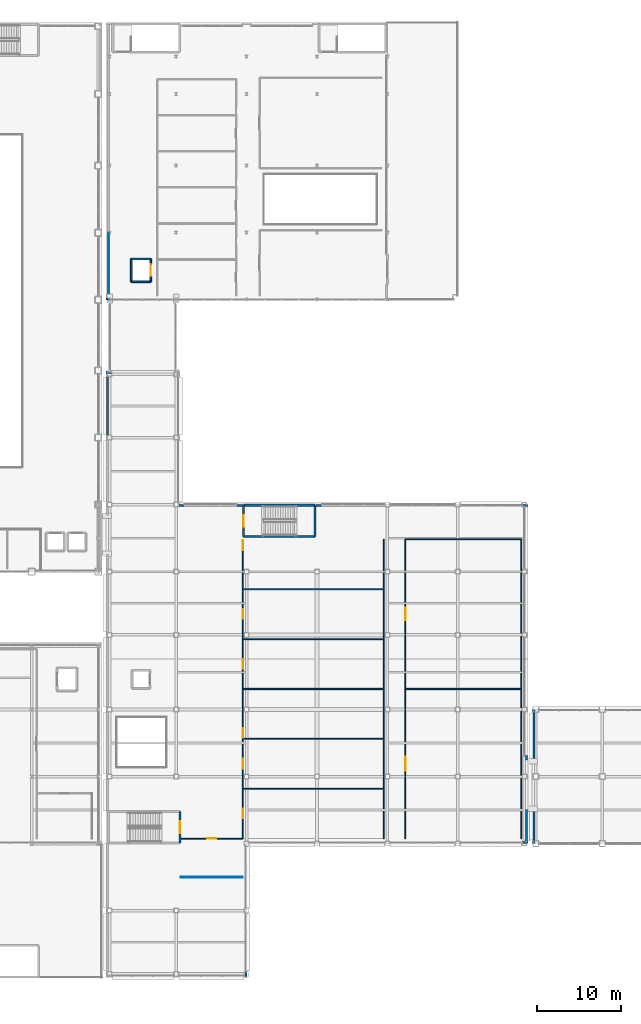
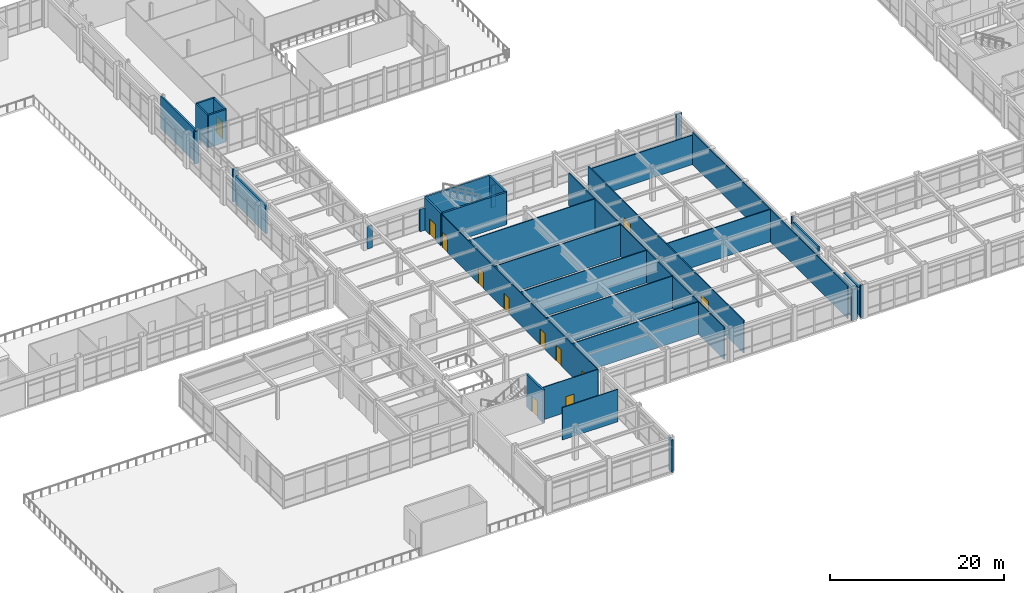
# One storey, part 133 of 154: 38 walls, 12 doors, 12 openings.
"""IFC4 building model written with IfcOpenShell, lengths in metres."""

from ifc_helpers import new_model, si_unit, direction, frame, frame_2d, origin, place, context, subcontext, project, spatial, rectangle, extrude, material, layer, layer_set, type_object, element, fill, save


model = new_model("IFC4")

# Units and contexts
model_context = context("Model", 3, precision=1e-05, world=origin(), true_north=direction((0.0, 1.0)))
body_context = subcontext(model_context, "Body", "Model", "MODEL_VIEW")
ifc_project = project(units=[si_unit("LENGTHUNIT", "METRE"), si_unit("AREAUNIT", "SQUARE_METRE"), si_unit("VOLUMEUNIT", "CUBIC_METRE"), si_unit("PLANEANGLEUNIT", "RADIAN"), si_unit("MASSUNIT", "GRAM", prefix="KILO")], contexts=[model_context])

# Site, building, storey
site_placement = place(None, origin())
site = spatial("IfcSite", under=ifc_project, at=site_placement, CompositionType="ELEMENT")
building_placement = place(site_placement, origin())
building = spatial("IfcBuilding", under=site, at=building_placement, Name="Kazehara Bluff Congress Hotel", CompositionType="ELEMENT")
storey_placement = place(building_placement, frame((0.0, 0.0, 10.199951171875)))
storey = spatial("IfcBuildingStorey", under=building, at=storey_placement, Name="L02", CompositionType="ELEMENT", Elevation=10.199951171875)

# Wall, opening, door
ifc_material_1 = material(Name="Concrete C40/50", Category="concrete")
ifc_layer_1 = layer(ifc_material_1, 0.25)
ifc_layer_set_1 = layer_set([ifc_layer_1], Name="Concrete C40/50")
wall_type_1 = type_object("IfcWallType", Name="TP-CW-RC", PredefinedType="SHEAR", material=ifc_layer_set_1)
wall_1_placement = place(storey_placement, frame((68.125, 19.824951171875, 0.0), z_axis=(0.0, 0.0, 1.0), x_axis=(0.0, -1.0, 0.0)))
wall_1 = element("IfcWall", 1, at=wall_1_placement, inside=storey, type_object=wall_type_1, Name="L02 ST-08 core wall near", PredefinedType="SHEAR", context=body_context, shape_type="SweptSolid", body=[
    extrude(rectangle(XDim=3.75, YDim=0.25, at=frame_2d((1.875, 0.0))), origin(), (0.0, 0.0, 1.0), 4.56005859375),
])
opening_1_placement = place(wall_1_placement, frame((1.175048828125, 0.0, 0.0)))
opening_1 = element("IfcOpeningElement", 2, at=opening_1_placement, cuts=wall_1, Name="Opening FD-03", PredefinedType="OPENING", context=body_context, shape_type="SweptSolid", body=[
    extrude(rectangle(XDim=1.39990234375, YDim=2.25, at=frame_2d((0.699951171875, 1.125))), frame((0.0, 0.135009765625, 0.0), z_axis=(0.0, -1.0, 0.0), x_axis=(1.0, 0.0, 0.0)), (0.0, 0.0, 1.0), 0.27001953125),
])
ifc_material_2 = material(Name="Fire-rated painted steel leaf", Category="steel")
door_type_1 = type_object("IfcDoorType", Name="TP-FD-03", OperationType="NOTDEFINED", PredefinedType="DOOR", material=ifc_material_2)
door_1_placement = place(opening_1_placement, origin())
door_1 = element("IfcDoor", 3, at=door_1_placement, inside=storey, type_object=door_type_1, Name="L02 ST-08 fire stair door", OperationType="SINGLE_SWING_RIGHT", OverallHeight=2.25, OverallWidth=1.39990234375, PredefinedType="DOOR", context=body_context, shape_type="SweptSolid", body=[
    extrude(rectangle(XDim=1.39990234375, YDim=2.25, at=frame_2d((0.699951171875, 1.125))), frame((0.0, 0.02490234375, 0.0), z_axis=(0.0, -1.0, 0.0), x_axis=(1.0, 0.0, 0.0)), (0.0, 0.0, 1.0), 0.050048828125),
])
fill(opening_1, door_1)

wall_2_placement = place(storey_placement, frame((75.675048828125, 52.625, 0.0), z_axis=(0.0, 0.0, 1.0), x_axis=(0.0, 1.0, 0.0)))
wall_2 = element("IfcWall", 4, at=wall_2_placement, inside=storey, type_object=wall_type_1, Name="L02 ST-09 core wall near", PredefinedType="SHEAR", context=body_context, shape_type="SweptSolid", body=[
    extrude(rectangle(XDim=3.75, YDim=0.25, at=frame_2d((1.875, 0.0))), origin(), (0.0, 0.0, 1.0), 4.56005859375),
])
opening_2_placement = place(wall_2_placement, frame((1.175048828125, 0.0, 0.0)))
opening_2 = element("IfcOpeningElement", 5, at=opening_2_placement, cuts=wall_2, Name="Opening FD-03", PredefinedType="OPENING", context=body_context, shape_type="SweptSolid", body=[
    extrude(rectangle(XDim=1.39990234375, YDim=2.25, at=frame_2d((0.699951171875, 1.125))), frame((0.0, 0.135009765625, 0.0), z_axis=(0.0, -1.0, 0.0), x_axis=(1.0, 0.0, 0.0)), (0.0, 0.0, 1.0), 0.27001953125),
])
door_2_placement = place(opening_2_placement, origin())
door_2 = element("IfcDoor", 6, at=door_2_placement, inside=storey, type_object=door_type_1, Name="L02 ST-09 fire stair door", OperationType="SINGLE_SWING_RIGHT", OverallHeight=2.25, OverallWidth=1.39990234375, PredefinedType="DOOR", context=body_context, shape_type="SweptSolid", body=[
    extrude(rectangle(XDim=1.39990234375, YDim=2.25, at=frame_2d((0.699951171875, 1.125))), frame((0.0, 0.02490234375, 0.0), z_axis=(0.0, -1.0, 0.0), x_axis=(1.0, 0.0, 0.0)), (0.0, 0.0, 1.0), 0.050048828125),
])
fill(opening_2, door_2)

# Walls
wall_3_placement = place(storey_placement, frame((84.22509765625, 56.375, 0.0), z_axis=(0.0, 0.0, 1.0), x_axis=(0.0, -1.0, 0.0)))
element("IfcWall", 7, at=wall_3_placement, inside=storey, type_object=wall_type_1, Name="L02 ST-09 core wall far", PredefinedType="SHEAR", context=body_context, shape_type="SweptSolid", body=[
    extrude(rectangle(XDim=3.75, YDim=0.25, at=frame_2d((1.875, 0.0))), origin(), (0.0, 0.0, 1.0), 4.56005859375),
])
for number, where, z_axis, x_axis, name in (
    (8, (84.22509765625, 52.625, 0.0), (0.0, 0.0, 1.0), (-1.0, 0.0, 0.0), "L02 ST-09 core wall left"),
    (9, (75.675048828125, 56.375, 0.0), (0.0, 0.0, 1.0), (1.0, 0.0, 0.0), "L02 ST-09 core wall right"),
):
    element("IfcWall", number, at=place(storey_placement, frame(where, z_axis=z_axis, x_axis=x_axis)), inside=storey, type_object=wall_type_1, Name=name, PredefinedType="SHEAR", context=body_context, shape_type="SweptSolid", body=[
        extrude(rectangle(XDim=8.550048828125, YDim=0.25, at=frame_2d((4.27490234375, 0.0))), origin(), (0.0, 0.0, 1.0), 4.56005859375),
    ])
ifc_material_3 = material(Name="Precast concrete C40/50", Category="concrete")
ifc_layer_2 = layer(ifc_material_3, 0.239990234375)
ifc_layer_set_2 = layer_set([ifc_layer_2], Name="Precast concrete C40/50")
wall_type_2 = type_object("IfcWallType", Name="TP-EW-240", PredefinedType="SOLIDWALL", material=ifc_layer_set_2)
wall_4_placement = place(storey_placement, frame((59.85009765625, 81.0, 0.0), z_axis=(0.0, 0.0, 1.0), x_axis=(-1.0, 0.0, 0.0)))
element("IfcWall", 10, at=wall_4_placement, inside=storey, type_object=wall_type_2, Name="L02 V3 perimeter spandrel pier 631", PredefinedType="SOLIDWALL", context=body_context, shape_type="SweptSolid", body=[
    extrude(rectangle(XDim=0.60009765625, YDim=0.239990234375, at=frame_2d((0.300048828125, 0.0))), origin(), (0.0, 0.0, 1.0), 4.545166015625),
])
wall_5_placement = place(storey_placement, frame((59.570068359375, 81.1298828125, 0.0), z_axis=(0.0, 0.0, 1.0), x_axis=(0.0, 1.0, 0.0)))
element("IfcWall", 11, at=wall_5_placement, inside=storey, type_object=wall_type_2, Name="L02 V3 perimeter spandrel pier 636", PredefinedType="SOLIDWALL", context=body_context, shape_type="SweptSolid", body=[
    extrude(rectangle(XDim=7.920166015625, YDim=0.239990234375, at=frame_2d((3.9599609375, 0.0))), origin(), (0.0, 0.0, 1.0), 4.545166015625),
])
wall_6_placement = place(storey_placement, frame((75.949951171875, 0.72509765625, 0.0), z_axis=(0.0, 0.0, 1.0), x_axis=(0.0, -1.0, 0.0)))
element("IfcWall", 12, at=wall_6_placement, inside=storey, type_object=wall_type_2, Name="L02 V4 perimeter spandrel pier 642", PredefinedType="SOLIDWALL", context=body_context, shape_type="SweptSolid", body=[
    extrude(rectangle(XDim=0.72509765625, YDim=0.239990234375, at=frame_2d((0.362548828125, 0.0))), origin(), (0.0, 0.0, 1.0), 4.545166015625),
])
wall_7_placement = place(storey_placement, frame((109.64990234375, 16.10009765625, 0.0), z_axis=(0.0, 0.0, 1.0), x_axis=(-1.0, 0.0, 0.0)))
element("IfcWall", 13, at=wall_7_placement, inside=storey, type_object=wall_type_2, Name="L02 V4 perimeter spandrel pier 643", PredefinedType="SOLIDWALL", context=body_context, shape_type="SweptSolid", body=[
    extrude(rectangle(XDim=0.724853515625, YDim=0.239990234375, at=frame_2d((0.3623046875, 0.0))), origin(), (0.0, 0.0, 1.0), 4.545166015625),
])
wall_8_placement = place(storey_placement, frame((109.429931640625, 20.050048828125, 0.0), z_axis=(0.0, 0.0, 1.0), x_axis=(0.0, -1.0, 0.0)))
element("IfcWall", 14, at=wall_8_placement, inside=storey, type_object=wall_type_2, Name="L02 V4 perimeter spandrel pier 644", PredefinedType="SOLIDWALL", context=body_context, shape_type="SweptSolid", body=[
    extrude(rectangle(XDim=3.775146484375, YDim=0.239990234375, at=frame_2d((1.8876953125, 0.0))), origin(), (0.0, 0.0, 1.0), 3.885009765625),
])
wall_9_placement = place(storey_placement, frame((109.429931640625, 26.5, 0.0), z_axis=(0.0, 0.0, 1.0), x_axis=(0.0, -1.0, 0.0)))
element("IfcWall", 15, at=wall_9_placement, inside=storey, type_object=wall_type_2, Name="L02 V4 perimeter spandrel pier 645", PredefinedType="SOLIDWALL", context=body_context, shape_type="SweptSolid", body=[
    extrude(rectangle(XDim=0.550048828125, YDim=0.239990234375, at=frame_2d((0.27490234375, 0.0))), origin(), (0.0, 0.0, 1.0), 3.885009765625),
])
wall_10_placement = place(storey_placement, frame((67.925048828125, 56.35009765625, 0.0), z_axis=(0.0, 0.0, 1.0), x_axis=(1.0, 0.0, 0.0)))
element("IfcWall", 16, at=wall_10_placement, inside=storey, type_object=wall_type_2, Name="L02 V4 perimeter spandrel pier 646", PredefinedType="SOLIDWALL", context=body_context, shape_type="SweptSolid", body=[
    extrude(rectangle(XDim=0.675048828125, YDim=0.239990234375, at=frame_2d((0.33740234375, 0.0))), origin(), (0.0, 0.0, 1.0), 3.135009765625),
])
wall_11_placement = place(storey_placement, frame((74.89990234375, 56.35009765625, 0.0), z_axis=(0.0, 0.0, 1.0), x_axis=(1.0, 0.0, 0.0)))
element("IfcWall", 17, at=wall_11_placement, inside=storey, type_object=wall_type_2, Name="L02 V4 perimeter spandrel pier 647", PredefinedType="SOLIDWALL", context=body_context, shape_type="SweptSolid", body=[
    extrude(rectangle(XDim=0.64013671875, YDim=0.239990234375, at=frame_2d((0.320068359375, 0.0))), origin(), (0.0, 0.0, 1.0), 3.135009765625),
])
wall_12_placement = place(storey_placement, frame((84.360107421875, 56.35009765625, 0.0), z_axis=(0.0, 0.0, 1.0), x_axis=(1.0, 0.0, 0.0)))
element("IfcWall", 18, at=wall_12_placement, inside=storey, type_object=wall_type_2, Name="L02 V4 perimeter spandrel pier 648", PredefinedType="SOLIDWALL", context=body_context, shape_type="SweptSolid", body=[
    extrude(rectangle(XDim=0.639892578125, YDim=0.239990234375, at=frame_2d((0.31982421875, 0.0))), origin(), (0.0, 0.0, 1.0), 3.135009765625),
])
wall_13_placement = place(storey_placement, frame((108.925048828125, 56.35009765625, 0.0), z_axis=(0.0, 0.0, 1.0), x_axis=(1.0, 0.0, 0.0)))
element("IfcWall", 19, at=wall_13_placement, inside=storey, type_object=wall_type_2, Name="L02 V4 perimeter spandrel pier 649", PredefinedType="SOLIDWALL", context=body_context, shape_type="SweptSolid", body=[
    extrude(rectangle(XDim=0.724853515625, YDim=0.239990234375, at=frame_2d((0.3623046875, 0.0))), origin(), (0.0, 0.0, 1.0), 4.545166015625),
])
wall_14_placement = place(storey_placement, frame((59.25, 72.22998046875, 0.0), z_axis=(0.0, 0.0, 1.0), x_axis=(1.0, 0.0, 0.0)))
element("IfcWall", 20, at=wall_14_placement, inside=storey, type_object=wall_type_2, Name="L02 V4 perimeter spandrel pier 651", PredefinedType="SOLIDWALL", context=body_context, shape_type="SweptSolid", body=[
    extrude(rectangle(XDim=0.72509765625, YDim=0.239990234375, at=frame_2d((0.362548828125, 0.0))), origin(), (0.0, 0.0, 1.0), 4.545166015625),
])
wall_15_placement = place(storey_placement, frame((59.469970703125, 64.72509765625, 0.0), z_axis=(0.0, 0.0, 1.0), x_axis=(0.0, 1.0, 0.0)))
element("IfcWall", 21, at=wall_15_placement, inside=storey, type_object=wall_type_2, Name="L02 V4 perimeter spandrel pier 654", PredefinedType="SOLIDWALL", context=body_context, shape_type="SweptSolid", body=[
    extrude(rectangle(XDim=7.0, YDim=0.239990234375, at=frame_2d((3.5, 0.0))), origin(), (0.0, 0.0, 1.0), 3.885009765625),
])
wall_16_placement = place(storey_placement, frame((110.10009765625, 31.89990234375, 0.0), z_axis=(0.0, 0.0, 1.0), x_axis=(1.0, 0.0, 0.0)))
element("IfcWall", 22, at=wall_16_placement, inside=storey, type_object=wall_type_2, Name="L02 V5 perimeter spandrel pier 667", PredefinedType="SOLIDWALL", context=body_context, shape_type="SweptSolid", body=[
    extrude(rectangle(XDim=0.35986328125, YDim=0.239990234375, at=frame_2d((0.179931640625, 0.0))), origin(), (0.0, 0.0, 1.0), 4.545166015625),
])
wall_17_placement = place(storey_placement, frame((110.320068359375, 25.949951171875, 0.0), z_axis=(0.0, 0.0, 1.0), x_axis=(0.0, 1.0, 0.0)))
element("IfcWall", 23, at=wall_17_placement, inside=storey, type_object=wall_type_2, Name="L02 V5 perimeter spandrel pier 668", PredefinedType="SOLIDWALL", context=body_context, shape_type="SweptSolid", body=[
    extrude(rectangle(XDim=5.699951171875, YDim=0.239990234375, at=frame_2d((2.85009765625, 0.0))), origin(), (0.0, 0.0, 1.0), 3.885009765625),
])
wall_18_placement = place(storey_placement, frame((110.320068359375, 16.35009765625, 0.0), z_axis=(0.0, 0.0, 1.0), x_axis=(0.0, 1.0, 0.0)))
element("IfcWall", 24, at=wall_18_placement, inside=storey, type_object=wall_type_2, Name="L02 V5 perimeter spandrel pier 669", PredefinedType="SOLIDWALL", context=body_context, shape_type="SweptSolid", body=[
    extrude(rectangle(XDim=3.699951171875, YDim=0.239990234375, at=frame_2d((1.85009765625, 0.0))), origin(), (0.0, 0.0, 1.0), 3.885009765625),
])
wall_19_placement = place(storey_placement, frame((110.4599609375, 16.10009765625, 0.0), z_axis=(0.0, 0.0, 1.0), x_axis=(-1.0, 0.0, 0.0)))
element("IfcWall", 25, at=wall_19_placement, inside=storey, type_object=wall_type_2, Name="L02 V5 perimeter spandrel pier 670", PredefinedType="SOLIDWALL", context=body_context, shape_type="SweptSolid", body=[
    extrude(rectangle(XDim=0.35986328125, YDim=0.239990234375, at=frame_2d((0.179931640625, 0.0))), origin(), (0.0, 0.0, 1.0), 4.545166015625),
])
ifc_material_4 = material(Name="Fire-rated gypsum board stud partition")
ifc_layer_3 = layer(ifc_material_4, 0.110107421875)
ifc_layer_set_3 = layer_set([ifc_layer_3], Name="Fire-rated gypsum board stud partition")
wall_type_3 = type_object("IfcWallType", Name="TP-PT-110", PredefinedType="PARTITIONING", material=ifc_layer_set_3)
wall_20_placement = place(storey_placement, frame((68.199951171875, 12.0, 0.0), z_axis=(0.0, 0.0, 1.0), x_axis=(1.0, 0.0, 0.0)))
element("IfcWall", 26, at=wall_20_placement, inside=storey, type_object=wall_type_3, Name="L02 partition PT-110 193", PredefinedType="PARTITIONING", context=body_context, shape_type="SweptSolid", body=[
    extrude(rectangle(XDim=7.400146484375, YDim=0.110107421875, at=frame_2d((3.7001953125, 0.0))), origin(), (0.0, 0.0, 1.0), 4.545166015625),
])

# Wall, opening, door
wall_21_placement = place(storey_placement, frame((68.199951171875, 16.60009765625, 0.0), z_axis=(0.0, 0.0, 1.0), x_axis=(1.0, 0.0, 0.0)))
wall_21 = element("IfcWall", 27, at=wall_21_placement, inside=storey, type_object=wall_type_3, Name="L02 partition PT-110 194", PredefinedType="PARTITIONING", context=body_context, shape_type="SweptSolid", body=[
    extrude(rectangle(XDim=7.400146484375, YDim=0.110107421875, at=frame_2d((3.7001953125, 0.0))), origin(), (0.0, 0.0, 1.0), 4.545166015625),
])
opening_3_placement = place(wall_21_placement, frame((3.175048828125, 0.0, 0.0)))
opening_3 = element("IfcOpeningElement", 28, at=opening_3_placement, cuts=wall_21, Name="Opening ID-02", PredefinedType="OPENING", context=body_context, shape_type="SweptSolid", body=[
    extrude(rectangle(XDim=1.050048828125, YDim=2.199951171875, at=frame_2d((0.52490234375, 1.10009765625))), frame((0.0, 0.06494140625, 0.0), z_axis=(0.0, -1.0, 0.0), x_axis=(1.0, 0.0, 0.0)), (0.0, 0.0, 1.0), 0.130126953125),
])
ifc_material_5 = material(Name="Architectural oak veneer leaf")
door_type_2 = type_object("IfcDoorType", Name="TP-ID-02", OperationType="NOTDEFINED", PredefinedType="DOOR", material=ifc_material_5)
door_3_placement = place(opening_3_placement, origin())
door_3 = element("IfcDoor", 29, at=door_3_placement, inside=storey, type_object=door_type_2, Name="L02 L02 Breakout Accessible WC door", OperationType="SINGLE_SWING_RIGHT", OverallHeight=2.199951171875, OverallWidth=1.050048828125, PredefinedType="DOOR", context=body_context, shape_type="SweptSolid", body=[
    extrude(rectangle(XDim=1.050048828125, YDim=2.199951171875, at=frame_2d((0.52490234375, 1.10009765625))), frame((0.0, 0.02490234375, 0.0), z_axis=(0.0, -1.0, 0.0), x_axis=(1.0, 0.0, 0.0)), (0.0, 0.0, 1.0), 0.050048828125),
])
fill(opening_3, door_3)

# Walls
ifc_material_6 = material(Name="Fire-rated gypsum board stud partition")
ifc_layer_4 = layer(ifc_material_6, 0.1298828125)
ifc_layer_set_4 = layer_set([ifc_layer_4], Name="Fire-rated gypsum board stud partition")
wall_type_4 = type_object("IfcWallType", Name="TP-PT-130", PredefinedType="PARTITIONING", material=ifc_layer_set_4)
for number, where, z_axis, x_axis, name in (
    (30, (75.60009765625, 22.550048828125, 0.0), (0.0, 0.0, 1.0), (1.0, 0.0, 0.0), "L02 partition PT-130 196"),
    (31, (75.60009765625, 28.5, 0.0), (0.0, 0.0, 1.0), (1.0, 0.0, 0.0), "L02 partition PT-130 197"),
    (32, (75.60009765625, 34.449951171875, 0.0), (0.0, 0.0, 1.0), (1.0, 0.0, 0.0), "L02 partition PT-130 198"),
):
    element("IfcWall", number, at=place(storey_placement, frame(where, z_axis=z_axis, x_axis=x_axis)), inside=storey, type_object=wall_type_4, Name=name, PredefinedType="PARTITIONING", context=body_context, shape_type="SweptSolid", body=[
        extrude(rectangle(XDim=16.7998046875, YDim=0.1298828125, at=frame_2d((8.39990234375, 0.0))), origin(), (0.0, 0.0, 1.0), 4.545166015625),
    ])
wall_22_placement = place(storey_placement, frame((95.0, 34.449951171875, 0.0), z_axis=(0.0, 0.0, 1.0), x_axis=(1.0, 0.0, 0.0)))
element("IfcWall", 33, at=wall_22_placement, inside=storey, type_object=wall_type_4, Name="L02 partition PT-130 199", PredefinedType="PARTITIONING", context=body_context, shape_type="SweptSolid", body=[
    extrude(rectangle(XDim=13.800048828125, YDim=0.1298828125, at=frame_2d((6.89990234375, 0.0))), origin(), (0.0, 0.0, 1.0), 4.545166015625),
])
for number, where, z_axis, x_axis, name in (
    (34, (75.60009765625, 40.39990234375, 0.0), (0.0, 0.0, 1.0), (1.0, 0.0, 0.0), "L02 partition PT-130 201"),
    (35, (75.60009765625, 46.35009765625, 0.0), (0.0, 0.0, 1.0), (1.0, 0.0, 0.0), "L02 partition PT-130 203"),
):
    element("IfcWall", number, at=place(storey_placement, frame(where, z_axis=z_axis, x_axis=x_axis)), inside=storey, type_object=wall_type_4, Name=name, PredefinedType="PARTITIONING", context=body_context, shape_type="SweptSolid", body=[
        extrude(rectangle(XDim=16.7998046875, YDim=0.1298828125, at=frame_2d((8.39990234375, 0.0))), origin(), (0.0, 0.0, 1.0), 4.545166015625),
    ])
wall_23_placement = place(storey_placement, frame((95.0, 52.300048828125, 0.0), z_axis=(0.0, 0.0, 1.0), x_axis=(1.0, 0.0, 0.0)))
element("IfcWall", 36, at=wall_23_placement, inside=storey, type_object=wall_type_4, Name="L02 partition PT-130 205", PredefinedType="PARTITIONING", context=body_context, shape_type="SweptSolid", body=[
    extrude(rectangle(XDim=13.800048828125, YDim=0.1298828125, at=frame_2d((6.89990234375, 0.0))), origin(), (0.0, 0.0, 1.0), 4.135009765625),
])

# Wall, openings, doors
wall_24_placement = place(storey_placement, frame((75.60009765625, 16.60009765625, 0.0), z_axis=(0.0, 0.0, 1.0), x_axis=(0.0, 1.0, 0.0)))
wall_24 = element("IfcWall", 37, at=wall_24_placement, inside=storey, type_object=wall_type_4, Name="L02 partition PT-130 232", PredefinedType="PARTITIONING", context=body_context, shape_type="SweptSolid", body=[
    extrude(rectangle(XDim=35.699951171875, YDim=0.1298828125, at=frame_2d((17.85009765625, 0.0))), origin(), (0.0, 0.0, 1.0), 4.545166015625),
])
opening_4_placement = place(wall_24_placement, frame((2.39990234375, 0.0, 0.0)))
opening_4 = element("IfcOpeningElement", 38, at=opening_4_placement, cuts=wall_24, Name="Opening ID-04", PredefinedType="OPENING", context=body_context, shape_type="SweptSolid", body=[
    extrude(rectangle(XDim=1.14990234375, YDim=2.219970703125, at=frame_2d((0.574951171875, 1.10986328125))), frame((0.0, 0.074951171875, 0.0), z_axis=(0.0, -1.0, 0.0), x_axis=(1.0, 0.0, 0.0)), (0.0, 0.0, 1.0), 0.14990234375),
])
opening_5_placement = place(wall_24_placement, frame((8.35009765625, 0.0, 0.0)))
opening_5 = element("IfcOpeningElement", 39, at=opening_5_placement, cuts=wall_24, Name="Opening ID-04", PredefinedType="OPENING", context=body_context, shape_type="SweptSolid", body=[
    extrude(rectangle(XDim=1.14990234375, YDim=2.219970703125, at=frame_2d((0.574951171875, 1.10986328125))), frame((0.0, 0.074951171875, 0.0), z_axis=(0.0, -1.0, 0.0), x_axis=(1.0, 0.0, 0.0)), (0.0, 0.0, 1.0), 0.14990234375),
])
opening_6_placement = place(wall_24_placement, frame((12.02001953125, 0.0, 0.0)))
opening_6 = element("IfcOpeningElement", 40, at=opening_6_placement, cuts=wall_24, Name="Opening ID-04", PredefinedType="OPENING", context=body_context, shape_type="SweptSolid", body=[
    extrude(rectangle(XDim=1.14990234375, YDim=2.219970703125, at=frame_2d((0.574951171875, 1.10986328125))), frame((0.0, 0.074951171875, 0.0), z_axis=(0.0, -1.0, 0.0), x_axis=(1.0, 0.0, 0.0)), (0.0, 0.0, 1.0), 0.14990234375),
])
opening_7_placement = place(wall_24_placement, frame((20.25, 0.0, 0.0)))
opening_7 = element("IfcOpeningElement", 41, at=opening_7_placement, cuts=wall_24, Name="Opening ID-04", PredefinedType="OPENING", context=body_context, shape_type="SweptSolid", body=[
    extrude(rectangle(XDim=1.14990234375, YDim=2.219970703125, at=frame_2d((0.574951171875, 1.10986328125))), frame((0.0, 0.074951171875, 0.0), z_axis=(0.0, -1.0, 0.0), x_axis=(1.0, 0.0, 0.0)), (0.0, 0.0, 1.0), 0.14990234375),
])
opening_8_placement = place(wall_24_placement, frame((26.199951171875, 0.0, 0.0)))
opening_8 = element("IfcOpeningElement", 42, at=opening_8_placement, cuts=wall_24, Name="Opening ID-04", PredefinedType="OPENING", context=body_context, shape_type="SweptSolid", body=[
    extrude(rectangle(XDim=1.14990234375, YDim=2.219970703125, at=frame_2d((0.574951171875, 1.10986328125))), frame((0.0, 0.074951171875, 0.0), z_axis=(0.0, -1.0, 0.0), x_axis=(1.0, 0.0, 0.0)), (0.0, 0.0, 1.0), 0.14990234375),
])
opening_9_placement = place(wall_24_placement, frame((34.429931640625, 0.0, 0.0)))
opening_9 = element("IfcOpeningElement", 43, at=opening_9_placement, cuts=wall_24, Name="Opening ID-04", PredefinedType="OPENING", context=body_context, shape_type="SweptSolid", body=[
    extrude(rectangle(XDim=1.14990234375, YDim=2.219970703125, at=frame_2d((0.574951171875, 1.10986328125))), frame((0.0, 0.074951171875, 0.0), z_axis=(0.0, -1.0, 0.0), x_axis=(1.0, 0.0, 0.0)), (0.0, 0.0, 1.0), 0.14990234375),
])
ifc_material_7 = material(Name="Architectural oak veneer leaf")
door_type_3 = type_object("IfcDoorType", Name="TP-ID-04", OperationType="NOTDEFINED", PredefinedType="DOOR", material=ifc_material_7)
door_4_placement = place(opening_4_placement, origin())
door_4 = element("IfcDoor", 44, at=door_4_placement, inside=storey, type_object=door_type_3, Name="L02 Meeting Room L02-1 door", OperationType="SINGLE_SWING_RIGHT", OverallHeight=2.219970703125, OverallWidth=1.14990234375, PredefinedType="DOOR", context=body_context, shape_type="SweptSolid", body=[
    extrude(rectangle(XDim=1.14990234375, YDim=2.219970703125, at=frame_2d((0.574951171875, 1.10986328125))), frame((0.0, 0.02490234375, 0.0), z_axis=(0.0, -1.0, 0.0), x_axis=(1.0, 0.0, 0.0)), (0.0, 0.0, 1.0), 0.050048828125),
])
fill(opening_4, door_4)
door_5_placement = place(opening_5_placement, origin())
door_5 = element("IfcDoor", 45, at=door_5_placement, inside=storey, type_object=door_type_3, Name="L02 Meeting Room L02-2 door", OperationType="SINGLE_SWING_LEFT", OverallHeight=2.219970703125, OverallWidth=1.14990234375, PredefinedType="DOOR", context=body_context, shape_type="SweptSolid", body=[
    extrude(rectangle(XDim=1.14990234375, YDim=2.219970703125, at=frame_2d((0.574951171875, 1.10986328125))), frame((0.0, 0.02490234375, 0.0), z_axis=(0.0, -1.0, 0.0), x_axis=(1.0, 0.0, 0.0)), (0.0, 0.0, 1.0), 0.050048828125),
])
fill(opening_5, door_5)
door_6_placement = place(opening_6_placement, origin())
door_6 = element("IfcDoor", 46, at=door_6_placement, inside=storey, type_object=door_type_3, Name="L02 Meeting Room L02-3 door", OperationType="SINGLE_SWING_RIGHT", OverallHeight=2.219970703125, OverallWidth=1.14990234375, PredefinedType="DOOR", context=body_context, shape_type="SweptSolid", body=[
    extrude(rectangle(XDim=1.14990234375, YDim=2.219970703125, at=frame_2d((0.574951171875, 1.10986328125))), frame((0.0, 0.02490234375, 0.0), z_axis=(0.0, -1.0, 0.0), x_axis=(1.0, 0.0, 0.0)), (0.0, 0.0, 1.0), 0.050048828125),
])
fill(opening_6, door_6)
door_7_placement = place(opening_7_placement, origin())
door_7 = element("IfcDoor", 47, at=door_7_placement, inside=storey, type_object=door_type_3, Name="L02 Meeting Room L02-4 door", OperationType="SINGLE_SWING_LEFT", OverallHeight=2.219970703125, OverallWidth=1.14990234375, PredefinedType="DOOR", context=body_context, shape_type="SweptSolid", body=[
    extrude(rectangle(XDim=1.14990234375, YDim=2.219970703125, at=frame_2d((0.574951171875, 1.10986328125))), frame((0.0, 0.02490234375, 0.0), z_axis=(0.0, -1.0, 0.0), x_axis=(1.0, 0.0, 0.0)), (0.0, 0.0, 1.0), 0.050048828125),
])
fill(opening_7, door_7)
door_8_placement = place(opening_8_placement, origin())
door_8 = element("IfcDoor", 48, at=door_8_placement, inside=storey, type_object=door_type_3, Name="L02 Meeting Room L02-5 door", OperationType="SINGLE_SWING_RIGHT", OverallHeight=2.219970703125, OverallWidth=1.14990234375, PredefinedType="DOOR", context=body_context, shape_type="SweptSolid", body=[
    extrude(rectangle(XDim=1.14990234375, YDim=2.219970703125, at=frame_2d((0.574951171875, 1.10986328125))), frame((0.0, 0.02490234375, 0.0), z_axis=(0.0, -1.0, 0.0), x_axis=(1.0, 0.0, 0.0)), (0.0, 0.0, 1.0), 0.050048828125),
])
fill(opening_8, door_8)
door_9_placement = place(opening_9_placement, origin())
door_9 = element("IfcDoor", 49, at=door_9_placement, inside=storey, type_object=door_type_3, Name="L02 Meeting Room L02-6 door", OperationType="SINGLE_SWING_LEFT", OverallHeight=2.219970703125, OverallWidth=1.14990234375, PredefinedType="DOOR", context=body_context, shape_type="SweptSolid", body=[
    extrude(rectangle(XDim=1.14990234375, YDim=2.219970703125, at=frame_2d((0.574951171875, 1.10986328125))), frame((0.0, 0.02490234375, 0.0), z_axis=(0.0, -1.0, 0.0), x_axis=(1.0, 0.0, 0.0)), (0.0, 0.0, 1.0), 0.050048828125),
])
fill(opening_9, door_9)

# Wall
wall_25_placement = place(storey_placement, frame((92.39990234375, 16.60009765625, 0.0), z_axis=(0.0, 0.0, 1.0), x_axis=(0.0, 1.0, 0.0)))
element("IfcWall", 50, at=wall_25_placement, inside=storey, type_object=wall_type_4, Name="L02 partition PT-130 235", PredefinedType="PARTITIONING", context=body_context, shape_type="SweptSolid", body=[
    extrude(rectangle(XDim=35.699951171875, YDim=0.1298828125, at=frame_2d((17.85009765625, 0.0))), origin(), (0.0, 0.0, 1.0), 4.545166015625),
])

# Wall, openings, doors
wall_26_placement = place(storey_placement, frame((95.0, 16.60009765625, 0.0), z_axis=(0.0, 0.0, 1.0), x_axis=(0.0, 1.0, 0.0)))
wall_26 = element("IfcWall", 51, at=wall_26_placement, inside=storey, type_object=wall_type_4, Name="L02 partition PT-130 236", PredefinedType="PARTITIONING", context=body_context, shape_type="SweptSolid", body=[
    extrude(rectangle(XDim=35.699951171875, YDim=0.1298828125, at=frame_2d((17.85009765625, 0.0))), origin(), (0.0, 0.0, 1.0), 4.545166015625),
])
opening_10_placement = place(wall_26_placement, frame((8.10009765625, 0.0, 0.0)))
opening_10 = element("IfcOpeningElement", 52, at=opening_10_placement, cuts=wall_26, Name="Opening AD-04", PredefinedType="OPENING", context=body_context, shape_type="SweptSolid", body=[
    extrude(rectangle(XDim=1.64990234375, YDim=2.35009765625, at=frame_2d((0.824951171875, 1.175048828125))), frame((0.0, 0.074951171875, 0.0), z_axis=(0.0, -1.0, 0.0), x_axis=(1.0, 0.0, 0.0)), (0.0, 0.0, 1.0), 0.14990234375),
])
opening_11_placement = place(wall_26_placement, frame((26.02490234375, 0.0, 0.0)))
opening_11 = element("IfcOpeningElement", 53, at=opening_11_placement, cuts=wall_26, Name="Opening AD-01", PredefinedType="OPENING", context=body_context, shape_type="SweptSolid", body=[
    extrude(rectangle(XDim=1.5, YDim=2.300048828125, at=frame_2d((0.75, 1.14990234375))), frame((0.0, 0.074951171875, 0.0), z_axis=(0.0, -1.0, 0.0), x_axis=(1.0, 0.0, 0.0)), (0.0, 0.0, 1.0), 0.14990234375),
])
ifc_material_8 = material(Name="Architectural oak veneer leaf")
door_type_4 = type_object("IfcDoorType", Name="TP-AD-01", OperationType="DOUBLE_DOOR_SINGLE_SWING", PredefinedType="DOOR", material=ifc_material_8)
door_10_placement = place(opening_11_placement, origin())
door_10 = element("IfcDoor", 54, at=door_10_placement, inside=storey, type_object=door_type_4, Name="L02 Executive Boardroom 2 door", OperationType="DOUBLE_DOOR_SINGLE_SWING", OverallHeight=2.300048828125, OverallWidth=1.5, PredefinedType="DOOR", context=body_context, shape_type="SweptSolid", body=[
    extrude(rectangle(XDim=1.5, YDim=2.300048828125, at=frame_2d((0.75, 1.14990234375))), frame((0.0, 0.02490234375, 0.0), z_axis=(0.0, -1.0, 0.0), x_axis=(1.0, 0.0, 0.0)), (0.0, 0.0, 1.0), 0.050048828125),
])
fill(opening_11, door_10)
ifc_material_9 = material(Name="Architectural oak veneer leaf")
door_type_5 = type_object("IfcDoorType", Name="TP-AD-04", OperationType="DOUBLE_DOOR_SINGLE_SWING", PredefinedType="DOOR", material=ifc_material_9)
door_11_placement = place(opening_10_placement, origin())
door_11 = element("IfcDoor", 55, at=door_11_placement, inside=storey, type_object=door_type_5, Name="L02 Executive Boardroom 1 door", OperationType="DOUBLE_DOOR_SINGLE_SWING", OverallHeight=2.35009765625, OverallWidth=1.64990234375, PredefinedType="DOOR", context=body_context, shape_type="SweptSolid", body=[
    extrude(rectangle(XDim=1.64990234375, YDim=2.35009765625, at=frame_2d((0.824951171875, 1.175048828125))), frame((0.0, 0.02490234375, 0.0), z_axis=(0.0, -1.0, 0.0), x_axis=(1.0, 0.0, 0.0)), (0.0, 0.0, 1.0), 0.050048828125),
])
fill(opening_10, door_11)

# Walls
wall_27_placement = place(storey_placement, frame((108.800048828125, 16.60009765625, 0.0), z_axis=(0.0, 0.0, 1.0), x_axis=(0.0, 1.0, 0.0)))
element("IfcWall", 56, at=wall_27_placement, inside=storey, type_object=wall_type_4, Name="L02 partition PT-130 237", PredefinedType="PARTITIONING", context=body_context, shape_type="SweptSolid", body=[
    extrude(rectangle(XDim=35.699951171875, YDim=0.1298828125, at=frame_2d((17.85009765625, 0.0))), origin(), (0.0, 0.0, 1.0), 4.545166015625),
])
ifc_material_10 = material(Name="Concrete C40/50", Category="concrete")
ifc_layer_5 = layer(ifc_material_10, 0.219970703125)
ifc_layer_set_5 = layer_set([ifc_layer_5], Name="Concrete C40/50")
wall_type_5 = type_object("IfcWallType", Name="TP-SW-RC", PredefinedType="SHEAR", material=ifc_layer_set_5)
for number, where, z_axis, x_axis, name in (
    (57, (62.2900390625, 85.760009765625, 0.0), (0.0, 0.0, 1.0), (1.0, 0.0, 0.0), "L02 EL-S2 lift shaft wall +Y"),
    (58, (62.2900390625, 83.0400390625, 0.0), (0.0, 0.0, 1.0), (1.0, 0.0, 0.0), "L02 EL-S2 lift shaft wall -Y"),
):
    element("IfcWall", number, at=place(storey_placement, frame(where, z_axis=z_axis, x_axis=x_axis)), inside=storey, type_object=wall_type_5, Name=name, PredefinedType="SHEAR", context=body_context, shape_type="SweptSolid", body=[
        extrude(rectangle(XDim=2.320068359375, YDim=0.219970703125, at=frame_2d((1.16015625, 0.0))), origin(), (0.0, 0.0, 1.0), 4.56005859375),
    ])

# Wall, opening, door
wall_28_placement = place(storey_placement, frame((64.610107421875, 83.0400390625, 0.0), z_axis=(0.0, 0.0, 1.0), x_axis=(0.0, 1.0, 0.0)))
wall_28 = element("IfcWall", 59, at=wall_28_placement, inside=storey, type_object=wall_type_5, Name="L02 EL-S2 lift shaft wall +X", PredefinedType="SHEAR", context=body_context, shape_type="SweptSolid", body=[
    extrude(rectangle(XDim=2.719970703125, YDim=0.219970703125, at=frame_2d((1.35986328125, 0.0))), origin(), (0.0, 0.0, 1.0), 4.56005859375),
])
opening_12_placement = place(wall_28_placement, frame((0.635009765625, 0.0, 0.0)))
opening_12 = element("IfcOpeningElement", 60, at=opening_12_placement, cuts=wall_28, Name="Opening LD-04", PredefinedType="OPENING", context=body_context, shape_type="SweptSolid", body=[
    extrude(rectangle(XDim=1.449951171875, YDim=2.35009765625, at=frame_2d((0.72509765625, 1.175048828125))), frame((0.0, 0.119873046875, 0.0), z_axis=(0.0, -1.0, 0.0), x_axis=(1.0, 0.0, 0.0)), (0.0, 0.0, 1.0), 0.239990234375),
])
ifc_material_11 = material(Name="Fire-rated painted steel leaf", Category="steel")
door_type_6 = type_object("IfcDoorType", Name="TP-LD-04", OperationType="SLIDING_TO_LEFT", PredefinedType="DOOR", material=ifc_material_11)
door_12_placement = place(opening_12_placement, origin())
door_12 = element("IfcDoor", 61, at=door_12_placement, inside=storey, type_object=door_type_6, Name="L02 EL-S2 elevator landing door", OperationType="SLIDING_TO_LEFT", OverallHeight=2.35009765625, OverallWidth=1.449951171875, PredefinedType="DOOR", context=body_context, shape_type="SweptSolid", body=[
    extrude(rectangle(XDim=1.449951171875, YDim=2.35009765625, at=frame_2d((0.72509765625, 1.175048828125))), frame((0.0, 0.02490234375, 0.0), z_axis=(0.0, -1.0, 0.0), x_axis=(1.0, 0.0, 0.0)), (0.0, 0.0, 1.0), 0.050048828125),
])
fill(opening_12, door_12)

# Wall
wall_29_placement = place(storey_placement, frame((62.2900390625, 83.0400390625, 0.0), z_axis=(0.0, 0.0, 1.0), x_axis=(0.0, 1.0, 0.0)))
element("IfcWall", 62, at=wall_29_placement, inside=storey, type_object=wall_type_5, Name="L02 EL-S2 lift shaft wall -X", PredefinedType="SHEAR", context=body_context, shape_type="SweptSolid", body=[
    extrude(rectangle(XDim=2.719970703125, YDim=0.219970703125, at=frame_2d((1.35986328125, 0.0))), origin(), (0.0, 0.0, 1.0), 4.56005859375),
])

save(model, "model.ifc")
